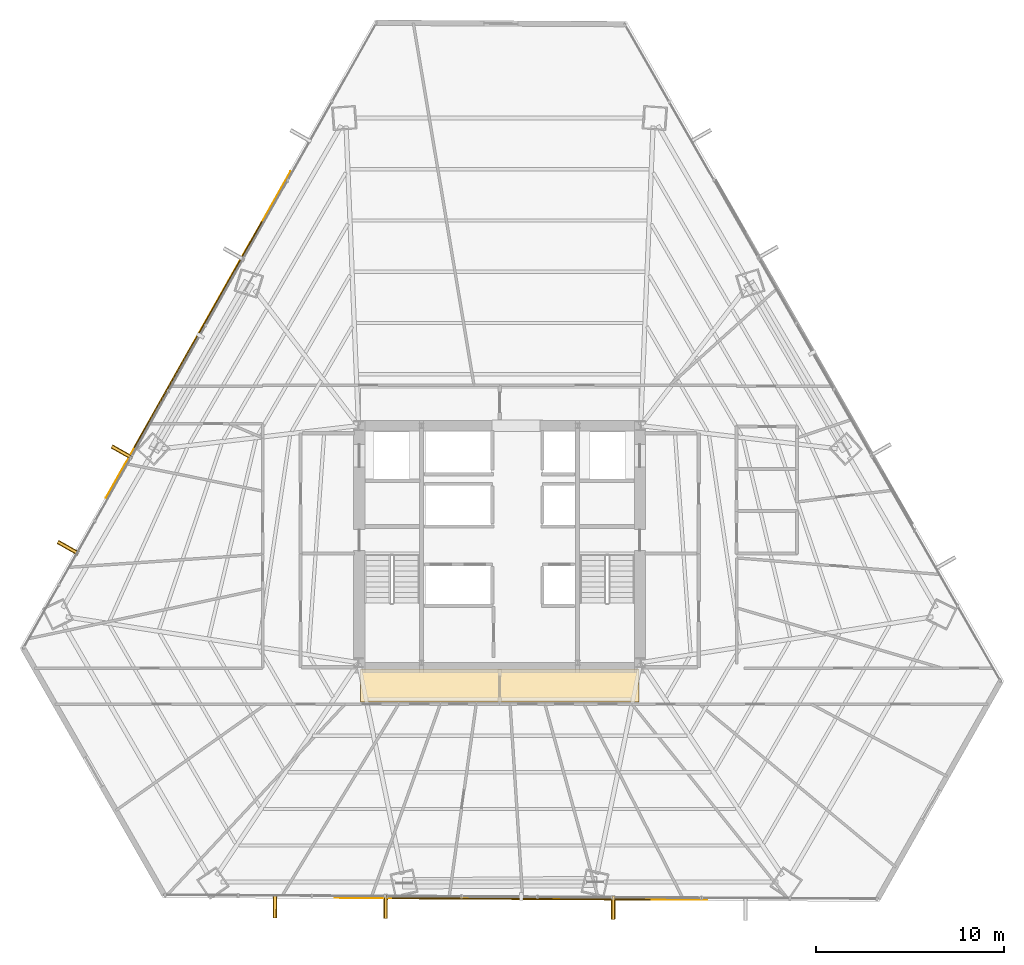
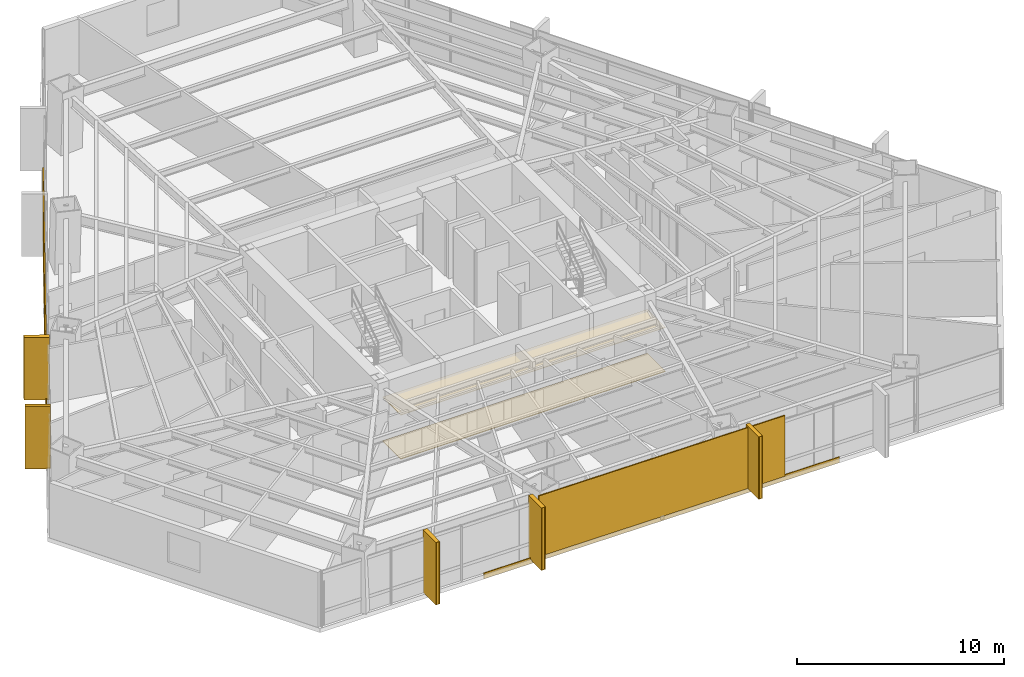
# One storey, part 37 of 39: 9 coverings, 7 shading devices.
"""IFC4 building model written with IfcOpenShell, lengths in metres."""

from ifc_helpers import new_model, si_unit, direction, frame, origin, origin_2d, place, context, subcontext, project, spatial, polyline, rectangle, outline, extrude, source, transform, mapped, material, layer, layer_set, type_object, type_shapes, element, save


model = new_model("IFC4")

# Units and contexts
model_context = context("Model", 3, precision=1e-05, world=origin(), true_north=direction((0.0, 1.0)))
body_context = subcontext(model_context, "Body", "Model", "MODEL_VIEW")
ifc_project = project(units=[si_unit("LENGTHUNIT", "METRE"), si_unit("AREAUNIT", "SQUARE_METRE"), si_unit("VOLUMEUNIT", "CUBIC_METRE"), si_unit("PLANEANGLEUNIT", "RADIAN"), si_unit("MASSUNIT", "GRAM", prefix="KILO")], contexts=[model_context])

# Site, building, storey
site_placement = place(None, origin())
site = spatial("IfcSite", under=ifc_project, at=site_placement, CompositionType="ELEMENT")
building_placement = place(site_placement, origin())
building = spatial("IfcBuilding", under=site, at=building_placement, Name="Caelisora Broadcast Tower", CompositionType="ELEMENT")
storey_placement = place(building_placement, frame((0.0, 0.0, 71.39990234375)))
storey = spatial("IfcBuildingStorey", under=building, at=storey_placement, Name="L18", CompositionType="ELEMENT", Elevation=71.39990234375)

# Coverings
ifc_material_1 = material(Name="Perforated Mineral-Fibre Acoustic Ceiling Tile", Category="gypsum")
ifc_layer_1 = layer(ifc_material_1, 0.034912109375, Name="Perforated Mineral-Fibre Acoustic Ceiling Tile")
ifc_layer_set_1 = layer_set([ifc_layer_1], Name="Perforated Mineral-Fibre Acoustic Ceiling Tile")
covering_type_1 = type_object("IfcCoveringType", Name="CE-1", PredefinedType="CEILING", material=ifc_layer_set_1)
covering_1_placement = place(storey_placement, frame((0.0, 0.0, 2.60009765625)))
element("IfcCovering", 1, at=covering_1_placement, inside=storey, type_object=covering_type_1, Name="L18 acoustic corridor ceiling CE-1 (S)", PredefinedType="CEILING", context=body_context, shape_type="SweptSolid", body=[
    extrude(outline(polyline([(30.60009765625, 15.300048828125), (45.39990234375, 15.300048828125), (45.39990234375, 17.050048828125), (30.60009765625, 17.050048828125), (30.60009765625, 15.300048828125)])), origin(), (0.0, 0.0, 1.0), 0.034912109375),
])
ifc_material_2 = material(Name="Anti-Static Broadcast Raised Access Floor Panel", Category="steel")
ifc_layer_2 = layer(ifc_material_2, 0.044921875, Name="Anti-Static Broadcast Raised Access Floor Panel")
ifc_layer_set_2 = layer_set([ifc_layer_2], Name="Anti-Static Broadcast Raised Access Floor Panel")
covering_type_2 = type_object("IfcCoveringType", Name="FL-1", PredefinedType="FLOORING", material=ifc_layer_set_2)
covering_2_placement = place(storey_placement, origin())
element("IfcCovering", 2, at=covering_2_placement, inside=storey, type_object=covering_type_2, Name="L18 broadcast raised access floor FL-1 (S)", PredefinedType="FLOORING", context=body_context, shape_type="SweptSolid", body=[
    extrude(outline(polyline([(30.60009765625, 15.300048828125), (45.39990234375, 15.300048828125), (45.39990234375, 17.050048828125), (30.60009765625, 17.050048828125), (30.60009765625, 15.300048828125)])), origin(), (0.0, 0.0, 1.0), 0.045166015625),
])
ifc_material_3 = material(Name="Kiln-Fired Terracotta Spandrel Rainscreen Cladding", Category="ceramic")
ifc_layer_3 = layer(ifc_material_3, 0.044921875, Name="Kiln-Fired Terracotta Spandrel Rainscreen Cladding")
ifc_layer_set_3 = layer_set([ifc_layer_3], Name="Kiln-Fired Terracotta Spandrel Rainscreen Cladding")
covering_type_3 = type_object("IfcCoveringType", Name="CL-1", PredefinedType="CLADDING", material=ifc_layer_set_3)
shared_shape_1 = source(origin(), body_context, "Body", "SweptSolid", [
    extrude(rectangle(XDim=0.219970703125, YDim=1.25, at=origin_2d()), origin(), (0.0, 0.0, 1.0), 3.68994140625),
])
for number, where, z_axis, x_axis, name in (
    (3, (44.0419921875, 4.36376953125, -0.019775390625), (0.0, 0.0, 1.0), (-0.999985363169, 0.005410494284, 0.0), "L18 vertical solar fin cladding #2-2"),
    (4, (31.944091796875, 4.4296875, -0.019775390625), (0.0, 0.0, 1.0), (-0.999985363169, 0.005410494284, 0.0), "L18 vertical solar fin cladding #2-3"),
    (5, (26.06005859375, 4.4619140625, -0.019775390625), (0.0, 0.0, 1.0), (-0.999985363169, 0.005410494284, 0.0), "L18 vertical solar fin cladding #2-4"),
    (6, (15.0615234375, 23.51123046875, -0.019775390625), (0.0, 0.0, 1.0), (0.49181581725, 0.870699260309, 0.0), "L18 vertical solar fin cladding #3-1"),
    (7, (17.9296875, 28.588134765625, -0.019775390625), (0.0, 0.0, 1.0), (0.49181581725, 0.870699260309, 0.0), "L18 vertical solar fin cladding #3-2"),
):
    element("IfcCovering", number, at=place(storey_placement, frame(where, z_axis=z_axis, x_axis=x_axis)), inside=storey, type_object=covering_type_3, Name=name, PredefinedType="CLADDING", context=body_context, shape_type="MappedRepresentation", body=[
        mapped(shared_shape_1, transform((0.0, 0.0, 0.0), scale=1.0)),
    ])

# Shading devices
ifc_material_4 = material(Name="Extruded Terracotta Flaring Colonnade Fin", Category="ceramic")
ifc_layer_4 = layer(ifc_material_4, 0.139892578125, Name="Extruded Terracotta Flaring Colonnade Fin")
ifc_layer_set_4 = layer_set([ifc_layer_4], Name="Extruded Terracotta Flaring Colonnade Fin")
shading_device_type_1 = type_object("IfcShadingDeviceType", Name="FN-1", PredefinedType="USERDEFINED", material=ifc_layer_set_4)
shared_shape_2 = source(origin(), body_context, "Body", "SweptSolid", [
    extrude(rectangle(XDim=0.139892578125, YDim=1.25, at=origin_2d()), origin(), (0.0, 0.0, 1.0), 3.669921875),
])
type_shapes(shading_device_type_1, [shared_shape_2])
for number, where, z_axis, x_axis, name in (
    (8, (44.0419921875, 4.36376953125, -0.009765625), (0.0, 0.0, 1.0), (-0.999985363169, 0.005410494284, 0.0), "L18 vertical terracotta fin #2-2"),
    (9, (31.944091796875, 4.4296875, -0.009765625), (0.0, 0.0, 1.0), (-0.999985363169, 0.005410494284, 0.0), "L18 vertical terracotta fin #2-3"),
    (10, (26.06005859375, 4.4619140625, -0.009765625), (0.0, 0.0, 1.0), (-0.999985363169, 0.005410494284, 0.0), "L18 vertical terracotta fin #2-4"),
    (11, (15.0615234375, 23.51123046875, -0.009765625), (0.0, 0.0, 1.0), (0.49181581725, 0.870699260309, 0.0), "L18 vertical terracotta fin #3-1"),
    (12, (17.9296875, 28.588134765625, -0.009765625), (0.0, 0.0, 1.0), (0.49181581725, 0.870699260309, 0.0), "L18 vertical terracotta fin #3-2"),
):
    element("IfcShadingDevice", number, at=place(storey_placement, frame(where, z_axis=z_axis, x_axis=x_axis)), inside=storey, type_object=shading_device_type_1, Name=name, ObjectType="FIN", PredefinedType="USERDEFINED", context=body_context, shape_type="MappedRepresentation", body=[
        mapped(shared_shape_2, transform((0.0, 0.0, 0.0), scale=1.0)),
    ])
ifc_material_5 = material(Name="Perforated Glazed Terracotta Baguette Solar Screen", Category="ceramic")
ifc_layer_5 = layer(ifc_material_5, 0.06494140625, Name="Perforated Glazed Terracotta Baguette Solar Screen")
ifc_layer_set_5 = layer_set([ifc_layer_5], Name="Perforated Glazed Terracotta Baguette Solar Screen")
shading_device_type_2 = type_object("IfcShadingDeviceType", Name="SS-1", PredefinedType="USERDEFINED", material=ifc_layer_set_5)
shared_shape_3 = source(origin(), body_context, "Body", "SweptSolid", [
    extrude(rectangle(XDim=13.81103515625, YDim=0.06494140625, at=origin_2d()), origin(), (0.0, 0.0, 1.0), 3.590087890625),
])
shading_device_1_placement = place(storey_placement, frame((21.978759765625, 34.84033203125, 0.0), z_axis=(0.0, 0.0, 1.0), x_axis=(-0.491967775447, -0.870613408995, 0.0)))
element("IfcShadingDevice", 13, at=shading_device_1_placement, inside=storey, type_object=shading_device_type_2, Name="L18 perforated terracotta solar screen #1", ObjectType="SOLAR SCREEN", PredefinedType="USERDEFINED", context=body_context, shape_type="MappedRepresentation", body=[
    mapped(shared_shape_3, transform((0.0, 0.0, 0.0), scale=1.0)),
])

# Covering
shared_shape_4 = source(origin(), body_context, "Body", "SweptSolid", [
    extrude(rectangle(XDim=19.949951171875, YDim=0.044921875, at=origin_2d()), origin(), (0.0, 0.0, 1.0), 0.340087890625),
])
covering_3_placement = place(storey_placement, frame((21.99609375, 34.83056640625, -0.27001953125), z_axis=(0.0, 0.0, 1.0), x_axis=(-0.491967775447, -0.870613408995, 0.0)))
element("IfcCovering", 14, at=covering_3_placement, inside=storey, type_object=covering_type_3, Name="L18 terracotta spandrel rainscreen #1", PredefinedType="CLADDING", context=body_context, shape_type="MappedRepresentation", body=[
    mapped(shared_shape_4, transform((0.0, 0.0, 0.0), scale=1.0)),
])

# Shading device
shared_shape_5 = source(origin(), body_context, "Body", "SweptSolid", [
    extrude(rectangle(XDim=13.717041015625, YDim=0.06494140625, at=origin_2d()), origin(), (0.0, 0.0, 1.0), 3.590087890625),
])
type_shapes(shading_device_type_2, [shared_shape_3, shared_shape_5])
shading_device_2_placement = place(storey_placement, frame((39.142578125, 4.840576171875, 0.0), z_axis=(0.0, 0.0, 1.0), x_axis=(0.999985363169, -0.005410494284, 0.0)))
element("IfcShadingDevice", 15, at=shading_device_2_placement, inside=storey, type_object=shading_device_type_2, Name="L18 perforated terracotta solar screen #2", ObjectType="SOLAR SCREEN", PredefinedType="USERDEFINED", context=body_context, shape_type="MappedRepresentation", body=[
    mapped(shared_shape_5, transform((0.0, 0.0, 0.0), scale=1.0)),
])

# Covering
shared_shape_6 = source(origin(), body_context, "Body", "SweptSolid", [
    extrude(rectangle(XDim=19.81298828125, YDim=0.044921875, at=origin_2d()), origin(), (0.0, 0.0, 1.0), 0.340087890625),
])
type_shapes(covering_type_3, [shared_shape_1, shared_shape_4, shared_shape_6])
covering_4_placement = place(storey_placement, frame((39.142822265625, 4.860595703125, -0.27001953125), z_axis=(0.0, 0.0, 1.0), x_axis=(0.999985363169, -0.005410494284, 0.0)))
element("IfcCovering", 16, at=covering_4_placement, inside=storey, type_object=covering_type_3, Name="L18 terracotta spandrel rainscreen #2", PredefinedType="CLADDING", context=body_context, shape_type="MappedRepresentation", body=[
    mapped(shared_shape_6, transform((0.0, 0.0, 0.0), scale=1.0)),
])

save(model, "model.ifc")
